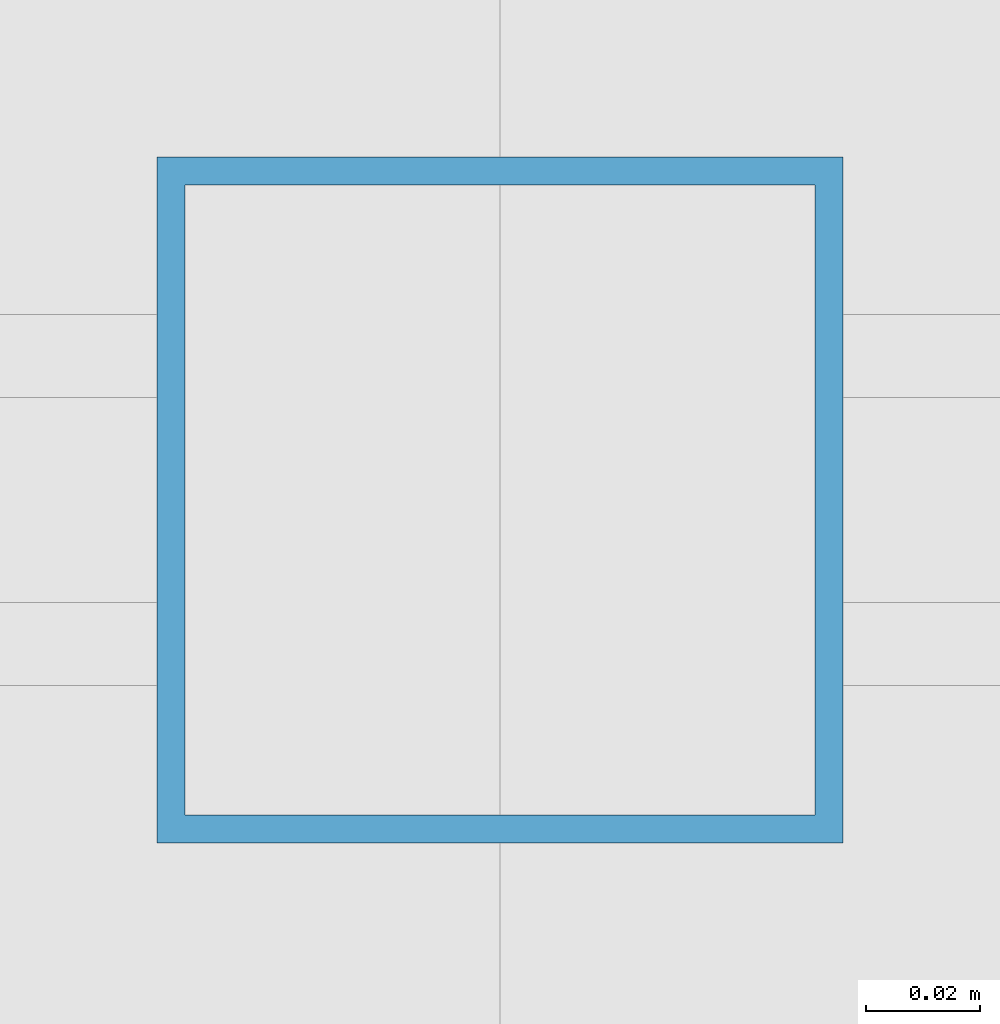
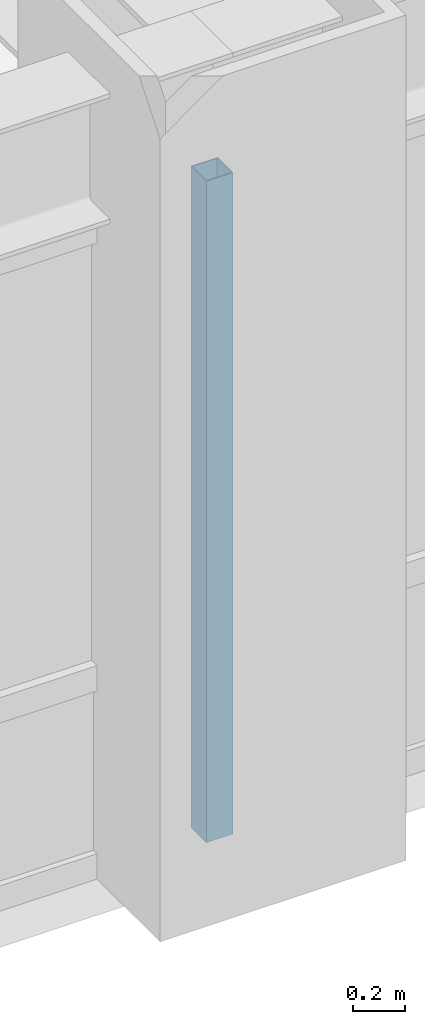
# One storey, part 4 of 24: 1 member, 1 element without a shape of its own.
"""IFC4 building model written with IfcOpenShell, lengths in metres."""

from ifc_helpers import new_model, si_unit, direction, frame, origin, origin_2d, place, context, subcontext, project, spatial, hollow_rectangle, extrude, source, transform, mapped, material, material_profile, profile_set, type_object, element, aggregate, save


model = new_model("IFC4")

# Units and contexts
model_context = context("Model", 3, precision=1e-05, world=origin(), true_north=direction((0.0, 1.0)))
body_context = subcontext(model_context, "Body", "Model", "MODEL_VIEW")
ifc_project = project(units=[si_unit("LENGTHUNIT", "METRE"), si_unit("AREAUNIT", "SQUARE_METRE"), si_unit("VOLUMEUNIT", "CUBIC_METRE"), si_unit("PLANEANGLEUNIT", "RADIAN"), si_unit("MASSUNIT", "GRAM", prefix="KILO")], contexts=[model_context])

# Site, building, storey
site_placement = place(None, origin())
site = spatial("IfcSite", under=ifc_project, at=site_placement, CompositionType="ELEMENT")
building_placement = place(site_placement, origin())
building = spatial("IfcBuilding", under=site, at=building_placement, Name="Khorayat Bourse Tower", CompositionType="ELEMENT")
storey_placement = place(building_placement, frame((0.0, 0.0, 167.10009765625)))
storey = spatial("IfcBuildingStorey", under=building, at=storey_placement, Name="L38", CompositionType="ELEMENT", Elevation=167.10009765625)

# Curtain wall, member
ifc_material = material(Name="Aluminium EN AW-6063 T6", Category="aluminium")
curtain_wall_type = type_object("IfcCurtainWallType", Name="CW-SYS-03", PredefinedType="NOTDEFINED", material=ifc_material)
curtain_wall_placement = place(storey_placement, origin())
curtain_wall = element("IfcCurtainWall", 1, at=curtain_wall_placement, inside=storey, type_object=curtain_wall_type, Name="L38 Curtain Wall CW-L38-S1", PredefinedType="NOTDEFINED")
ifc_material_profile = material_profile(ifc_material, hollow_rectangle(XDim=0.1201171875, YDim=0.1201171875, WallThickness=0.0048828125, at=origin_2d()), Name="ALU 120x120x5")
ifc_profile_set = profile_set([ifc_material_profile], Name="Aluminium EN AW-6063 T6")
member_type = type_object("IfcMemberType", Name="CWM-VERT-120", PredefinedType="MULLION", material=ifc_profile_set)
shared_shape = source(origin(), body_context, "Body", "SweptSolid", [
    extrude(hollow_rectangle(XDim=0.1201171875, YDim=0.1201171875, WallThickness=0.0048828125, at=origin_2d()), origin(), (0.0, 0.0, 1.0), 3.1298828125),
])
member_placement = place(storey_placement, frame((0.0, -30.0, 0.0), z_axis=(0.0, 0.0, 1.0), x_axis=(0.0, 1.0, 0.0)))
member = element("IfcMember", 2, at=member_placement, type_object=member_type, Name="CW-L38-S1 Vertical Mullion 2", PredefinedType="MULLION", context=body_context, shape_type="MappedRepresentation", body=[
    mapped(shared_shape, transform((0.0, 0.0, 0.0), scale=1.0)),
])
aggregate(curtain_wall, [member])

save(model, "model.ifc")
